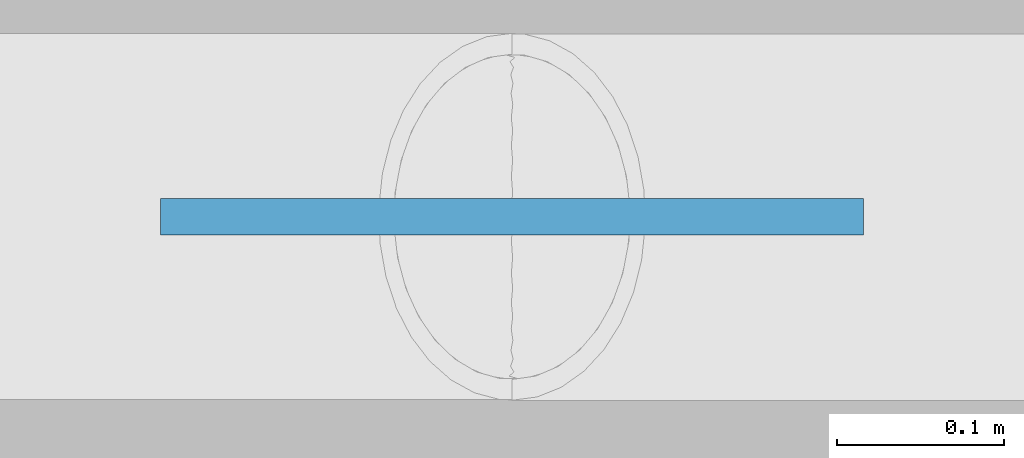
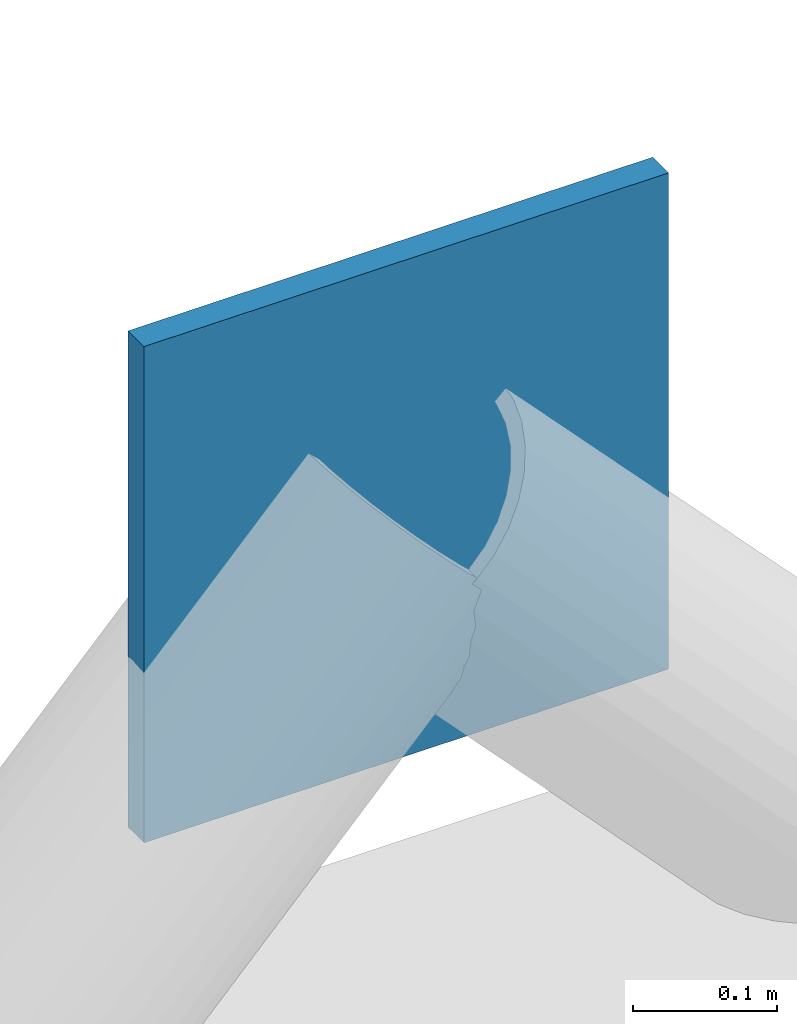
# One storey, part 31 of 46: 1 plate.
"""IFC4 building model written with IfcOpenShell, lengths in metres."""

from ifc_helpers import new_model, si_unit, direction, frame, origin, origin_2d, place, context, subcontext, project, spatial, rectangle, extrude, material, layer, layer_set, type_object, element, save


model = new_model("IFC4")

# Units and contexts
model_context = context("Model", 3, precision=1e-05, world=origin(), true_north=direction((0.0, 1.0)))
body_context = subcontext(model_context, "Body", "Model", "MODEL_VIEW")
ifc_project = project(units=[si_unit("LENGTHUNIT", "METRE"), si_unit("AREAUNIT", "SQUARE_METRE"), si_unit("VOLUMEUNIT", "CUBIC_METRE"), si_unit("PLANEANGLEUNIT", "RADIAN"), si_unit("MASSUNIT", "GRAM", prefix="KILO")], contexts=[model_context])

# Site, building, storey
site_placement = place(None, origin())
site = spatial("IfcSite", under=ifc_project, at=site_placement, CompositionType="ELEMENT")
building_placement = place(site_placement, origin())
building = spatial("IfcBuilding", under=site, at=building_placement, Name="Khelvaren Railside Concert Hall", CompositionType="ELEMENT")
storey_placement = place(building_placement, frame((0.0, 0.0, 19.800048828125)))
storey = spatial("IfcBuildingStorey", under=building, at=storey_placement, Name="L04", CompositionType="ELEMENT", Elevation=19.800048828125)

# Plate
ifc_material = material(Name="Steel S355", Category="steel")
ifc_layer = layer(ifc_material, 0.02197265625)
ifc_layer_set = layer_set([ifc_layer], Name="Steel S355")
plate_type = type_object("IfcPlateType", Name="STP73", PredefinedType="USERDEFINED", material=ifc_layer_set)
plate_placement = place(storey_placement, frame((156.0, 114.0, 4.080078125), z_axis=(0.0, 0.0, 1.0), x_axis=(1.0, 0.0, 0.0)))
element("IfcPlate", 1, at=plate_placement, inside=storey, type_object=plate_type, Name="V5 L04 Brace Apex Stiffener Plate 66", ObjectType="STIFFENER PLATE", PredefinedType="USERDEFINED", context=body_context, shape_type="SweptSolid", body=[
    extrude(rectangle(XDim=0.419921875, YDim=0.02197265625, at=origin_2d()), origin(), (0.0, 0.0, 1.0), 0.419921875),
])

save(model, "model.ifc")
